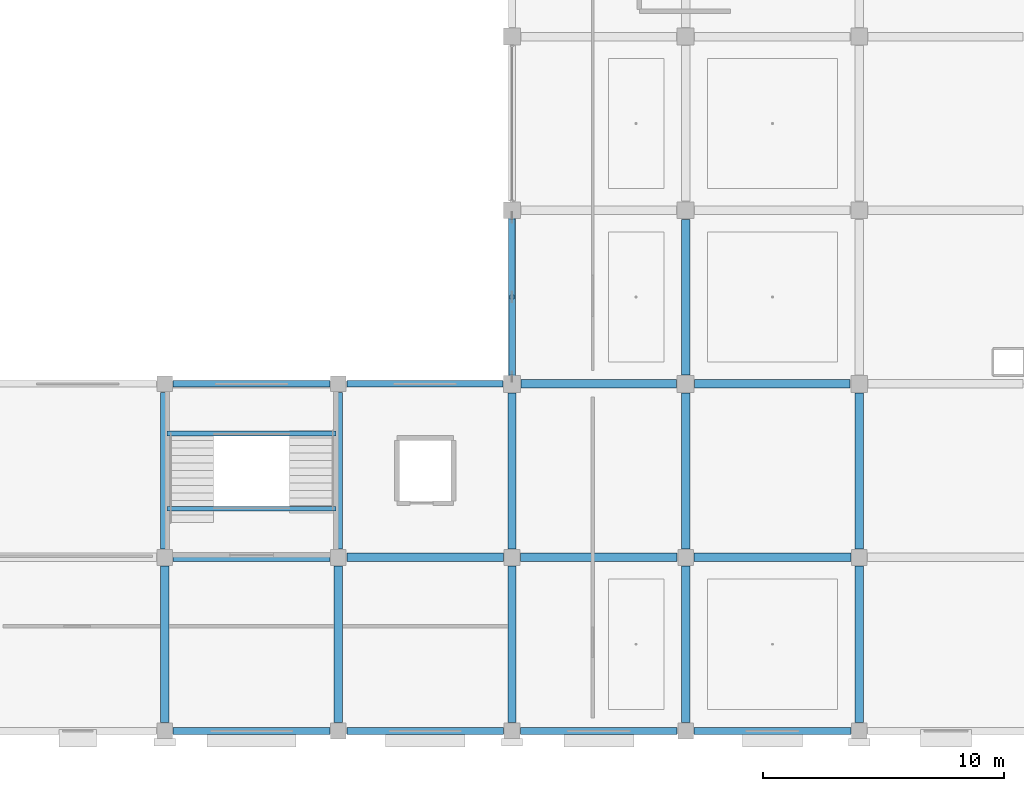
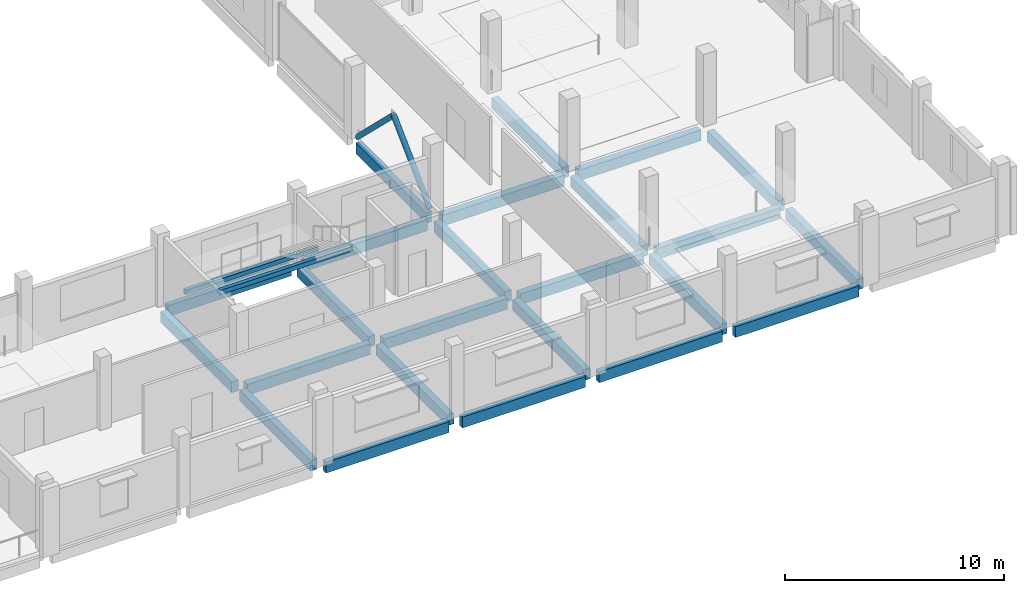
# One storey, part 36 of 91: 26 beams, 2 members.
"""IFC4 building model written with IfcOpenShell, lengths in metres."""

from ifc_helpers import new_model, si_unit, direction, frame, origin, origin_2d, place, context, subcontext, project, spatial, rectangle, hollow_circle, extrude, material, material_profile, profile_set, type_object, element, save


model = new_model("IFC4")

# Units and contexts
model_context = context("Model", 3, precision=1e-05, world=origin(), true_north=direction((0.0, 1.0)))
body_context = subcontext(model_context, "Body", "Model", "MODEL_VIEW")
ifc_project = project(units=[si_unit("LENGTHUNIT", "METRE"), si_unit("AREAUNIT", "SQUARE_METRE"), si_unit("VOLUMEUNIT", "CUBIC_METRE"), si_unit("PLANEANGLEUNIT", "RADIAN"), si_unit("MASSUNIT", "GRAM", prefix="KILO")], contexts=[model_context])

# Site, building, storey
site_placement = place(None, origin())
site = spatial("IfcSite", under=ifc_project, at=site_placement, CompositionType="ELEMENT")
building_placement = place(site_placement, origin())
building = spatial("IfcBuilding", under=site, at=building_placement, Name="Kangsadwip Square Police Headquarters", CompositionType="ELEMENT")
storey_placement = place(building_placement, frame((0.0, 0.0, 13.5)))
storey = spatial("IfcBuildingStorey", under=building, at=storey_placement, Name="L03", CompositionType="ELEMENT", Elevation=13.5)

# Beams
ifc_material_1 = material(Name="Concrete M35 (35 MPa)", Category="concrete")
ifc_material_profile_1 = material_profile(ifc_material_1, rectangle(XDim=0.35009765625, YDim=0.60009765625, at=origin_2d()), Name="RC BM 600X350")
ifc_profile_set_1 = profile_set([ifc_material_profile_1], Name="Concrete M35 (35 MPa)")
beam_type_1 = type_object("IfcBeamType", Name="RcBeam600x350", PredefinedType="BEAM", material=ifc_profile_set_1)
for number, where, z_axis, x_axis, name in (
    (1, (129.949951171875, 28.800048828125, -0.5400390625), (1.0, 0.0, 0.0), (0.0, 1.0, 0.0), "Beam BM-L03-X-18-04"),
    (2, (137.14990234375, 28.800048828125, -0.5400390625), (1.0, 0.0, 0.0), (0.0, 1.0, 0.0), "Beam BM-L03-X-19-04"),
    (3, (144.35009765625, 28.800048828125, -0.5400390625), (1.0, 0.0, 0.0), (0.0, 1.0, 0.0), "Beam BM-L03-X-20-04"),
    (4, (151.550048828125, 28.800048828125, -0.5400390625), (1.0, 0.0, 0.0), (0.0, 1.0, 0.0), "Beam BM-L03-X-21-04"),
):
    element("IfcBeam", number, at=place(storey_placement, frame(where, z_axis=z_axis, x_axis=x_axis)), inside=storey, type_object=beam_type_1, Name=name, PredefinedType="BEAM", context=body_context, shape_type="SweptSolid", body=[
        extrude(rectangle(XDim=0.35009765625, YDim=0.60009765625, at=origin_2d()), origin(), (0.0, 0.0, 1.0), 6.5),
    ])
for number, where, z_axis, x_axis, name in (
    (5, (144.375, 36.0, -0.5400390625), (1.0, 0.0, 0.0), (0.0, 1.0, 0.0), "Beam BM-L03-X-20-05"),
    (6, (151.574951171875, 36.0, -0.5400390625), (1.0, 0.0, 0.0), (0.0, 1.0, 0.0), "Beam BM-L03-X-21-05"),
):
    element("IfcBeam", number, at=place(storey_placement, frame(where, z_axis=z_axis, x_axis=x_axis)), inside=storey, type_object=beam_type_1, Name=name, PredefinedType="BEAM", context=body_context, shape_type="SweptSolid", body=[
        extrude(rectangle(XDim=0.35009765625, YDim=0.60009765625, at=origin_2d()), origin(), (0.0, 0.0, 1.0), 6.449951171875),
    ])
for number, where, z_axis, x_axis, name in (
    (7, (129.60009765625, 21.949951171875, -0.5400390625), (0.0, 1.0, 0.0), (-1.0, 0.0, 0.0), "Beam BM-L03-Y-18-03"),
    (8, (129.60009765625, 29.14990234375, -0.5400390625), (0.0, 1.0, 0.0), (-1.0, 0.0, 0.0), "Beam BM-L03-Y-18-04"),
    (9, (136.800048828125, 21.949951171875, -0.5400390625), (0.0, 1.0, 0.0), (-1.0, 0.0, 0.0), "Beam BM-L03-Y-19-03"),
    (10, (136.800048828125, 29.14990234375, -0.5400390625), (0.0, 1.0, 0.0), (-1.0, 0.0, 0.0), "Beam BM-L03-Y-19-04"),
    (11, (144.0, 21.949951171875, -0.5400390625), (0.0, 1.0, 0.0), (-1.0, 0.0, 0.0), "Beam BM-L03-Y-20-03"),
):
    element("IfcBeam", number, at=place(storey_placement, frame(where, z_axis=z_axis, x_axis=x_axis)), inside=storey, type_object=beam_type_1, Name=name, PredefinedType="BEAM", context=body_context, shape_type="SweptSolid", body=[
        extrude(rectangle(XDim=0.35009765625, YDim=0.60009765625, at=origin_2d()), origin(), (0.0, 0.0, 1.0), 6.5),
    ])
beam_1_placement = place(storey_placement, frame((144.0, 29.14990234375, -0.5400390625), z_axis=(0.0, 1.0, 0.0), x_axis=(-1.0, 0.0, 0.0)))
element("IfcBeam", 12, at=beam_1_placement, inside=storey, type_object=beam_type_1, Name="Beam BM-L03-Y-20-04", PredefinedType="BEAM", context=body_context, shape_type="SweptSolid", body=[
    extrude(rectangle(XDim=0.35009765625, YDim=0.60009765625, at=origin_2d()), origin(), (0.0, 0.0, 1.0), 6.47509765625),
])
beam_2_placement = place(storey_placement, frame((151.199951171875, 21.949951171875, -0.5400390625), z_axis=(0.0, 1.0, 0.0), x_axis=(-1.0, 0.0, 0.0)))
element("IfcBeam", 13, at=beam_2_placement, inside=storey, type_object=beam_type_1, Name="Beam BM-L03-Y-21-03", PredefinedType="BEAM", context=body_context, shape_type="SweptSolid", body=[
    extrude(rectangle(XDim=0.35009765625, YDim=0.60009765625, at=origin_2d()), origin(), (0.0, 0.0, 1.0), 6.5),
])
beam_3_placement = place(storey_placement, frame((151.199951171875, 29.14990234375, -0.5400390625), z_axis=(0.0, 1.0, 0.0), x_axis=(-1.0, 0.0, 0.0)))
element("IfcBeam", 14, at=beam_3_placement, inside=storey, type_object=beam_type_1, Name="Beam BM-L03-Y-21-04", PredefinedType="BEAM", context=body_context, shape_type="SweptSolid", body=[
    extrude(rectangle(XDim=0.35009765625, YDim=0.60009765625, at=origin_2d()), origin(), (0.0, 0.0, 1.0), 6.47509765625),
])
beam_4_placement = place(storey_placement, frame((151.199951171875, 36.375, -0.5400390625), z_axis=(0.0, 1.0, 0.0), x_axis=(-1.0, 0.0, 0.0)))
element("IfcBeam", 15, at=beam_4_placement, inside=storey, type_object=beam_type_1, Name="Beam BM-L03-Y-21-05", PredefinedType="BEAM", context=body_context, shape_type="SweptSolid", body=[
    extrude(rectangle(XDim=0.35009765625, YDim=0.60009765625, at=origin_2d()), origin(), (0.0, 0.0, 1.0), 6.449951171875),
])
beam_5_placement = place(storey_placement, frame((158.39990234375, 21.949951171875, -0.5400390625), z_axis=(0.0, 1.0, 0.0), x_axis=(-1.0, 0.0, 0.0)))
element("IfcBeam", 16, at=beam_5_placement, inside=storey, type_object=beam_type_1, Name="Beam BM-L03-Y-22-03", PredefinedType="BEAM", context=body_context, shape_type="SweptSolid", body=[
    extrude(rectangle(XDim=0.35009765625, YDim=0.60009765625, at=origin_2d()), origin(), (0.0, 0.0, 1.0), 6.5),
])
beam_6_placement = place(storey_placement, frame((158.39990234375, 29.14990234375, -0.5400390625), z_axis=(0.0, 1.0, 0.0), x_axis=(-1.0, 0.0, 0.0)))
element("IfcBeam", 17, at=beam_6_placement, inside=storey, type_object=beam_type_1, Name="Beam BM-L03-Y-22-04", PredefinedType="BEAM", context=body_context, shape_type="SweptSolid", body=[
    extrude(rectangle(XDim=0.35009765625, YDim=0.60009765625, at=origin_2d()), origin(), (0.0, 0.0, 1.0), 6.47509765625),
])
ifc_material_2 = material(Name="Concrete M30 (30 MPa)", Category="concrete")
ifc_material_profile_2 = material_profile(ifc_material_2, rectangle(XDim=0.199951171875, YDim=0.25, at=origin_2d()), Name="RC LNT 250X200")
ifc_profile_set_2 = profile_set([ifc_material_profile_2], Name="Concrete M30 (30 MPa)")
beam_type_2 = type_object("IfcBeamType", Name="RcLintel250x200", PredefinedType="LINTEL", material=ifc_profile_set_2)
for number, where, z_axis, x_axis, name in (
    (18, (129.699951171875, 33.93994140625, 1.801025390625), (1.0, 0.0, 0.0), (0.0, 1.0, 0.0), "Stair Carriage and Landing Beam BM-ST-L03-085"),
    (19, (129.699951171875, 30.820068359375, 3.68505859375), (1.0, 0.0, 0.0), (0.0, 1.0, 0.0), "Stair Carriage and Landing Beam BM-ST-L03-086"),
):
    element("IfcBeam", number, at=place(storey_placement, frame(where, z_axis=z_axis, x_axis=x_axis)), inside=storey, type_object=beam_type_2, Name=name, PredefinedType="BEAM", context=body_context, shape_type="SweptSolid", body=[
        extrude(rectangle(XDim=0.199951171875, YDim=0.25, at=origin_2d()), origin(), (0.0, 0.0, 1.0), 7.0),
    ])
ifc_material_3 = material(Name="Concrete M40 (40 MPa)", Category="concrete")
ifc_material_profile_3 = material_profile(ifc_material_3, rectangle(XDim=0.280029296875, YDim=0.60009765625, at=origin_2d()), Name="RC SPN 600X280")
ifc_profile_set_3 = profile_set([ifc_material_profile_3], Name="Concrete M40 (40 MPa)")
beam_type_3 = type_object("IfcBeamType", Name="RcSpandrel600x280", PredefinedType="SPANDREL", material=ifc_profile_set_3)
for number, where, z_axis, x_axis, name in (
    (20, (129.949951171875, 21.60009765625, -0.5400390625), (1.0, 0.0, 0.0), (0.0, 1.0, 0.0), "Beam BM-L03-X-18-03"),
    (21, (137.14990234375, 21.60009765625, -0.5400390625), (1.0, 0.0, 0.0), (0.0, 1.0, 0.0), "Beam BM-L03-X-19-03"),
    (22, (144.35009765625, 21.60009765625, -0.5400390625), (1.0, 0.0, 0.0), (0.0, 1.0, 0.0), "Beam BM-L03-X-20-03"),
    (23, (151.550048828125, 21.60009765625, -0.5400390625), (1.0, 0.0, 0.0), (0.0, 1.0, 0.0), "Beam BM-L03-X-21-03"),
    (24, (129.949951171875, 36.0, -0.5400390625), (1.0, 0.0, 0.0), (0.0, 1.0, 0.0), "Beam BM-L03-X-18-05"),
):
    element("IfcBeam", number, at=place(storey_placement, frame(where, z_axis=z_axis, x_axis=x_axis)), inside=storey, type_object=beam_type_3, Name=name, PredefinedType="SPANDREL", context=body_context, shape_type="SweptSolid", body=[
        extrude(rectangle(XDim=0.280029296875, YDim=0.60009765625, at=origin_2d()), origin(), (0.0, 0.0, 1.0), 6.5),
    ])
beam_7_placement = place(storey_placement, frame((137.14990234375, 36.0, -0.5400390625), z_axis=(1.0, 0.0, 0.0), x_axis=(0.0, 1.0, 0.0)))
element("IfcBeam", 25, at=beam_7_placement, inside=storey, type_object=beam_type_3, Name="Beam BM-L03-X-19-05", PredefinedType="SPANDREL", context=body_context, shape_type="SweptSolid", body=[
    extrude(rectangle(XDim=0.280029296875, YDim=0.60009765625, at=origin_2d()), origin(), (0.0, 0.0, 1.0), 6.47509765625),
])
beam_8_placement = place(storey_placement, frame((144.0, 36.375, -0.5400390625), z_axis=(0.0, 1.0, 0.0), x_axis=(-1.0, 0.0, 0.0)))
element("IfcBeam", 26, at=beam_8_placement, inside=storey, type_object=beam_type_3, Name="Beam BM-L03-Y-20-05", PredefinedType="SPANDREL", context=body_context, shape_type="SweptSolid", body=[
    extrude(rectangle(XDim=0.280029296875, YDim=0.60009765625, at=origin_2d()), origin(), (0.0, 0.0, 1.0), 6.449951171875),
])

# Members
ifc_material_4 = material(Name="Structural steel IS 2062 E350 (Grade 350, 350 MPa)", Category="steel")
ifc_material_profile_4 = material_profile(ifc_material_4, hollow_circle(Radius=0.136474609375, WallThickness=0.010009765625, at=origin_2d()), Name="CHS 273X10")
ifc_profile_set_4 = profile_set([ifc_material_profile_4], Name="Structural steel IS 2062 E350 (Grade 350, 350 MPa)")
member_type = type_object("IfcMemberType", Name="TrussBraceChs273", PredefinedType="BRACE", material=ifc_profile_set_4)
member_1_placement = place(storey_placement, frame((144.0, 36.300048828125, 0.0), z_axis=(0.0, 0.716823350173, 0.697254820454), x_axis=(-1.0, 0.0, 0.0)))
element("IfcMember", 27, at=member_1_placement, inside=storey, type_object=member_type, Name="Truss Member MEM-L03-0292", PredefinedType="BRACE", context=body_context, shape_type="SweptSolid", body=[
    extrude(hollow_circle(Radius=0.136474609375, WallThickness=0.010009765625, at=origin_2d()), origin(), (0.0, 0.0, 1.0), 4.603759765625),
])
member_2_placement = place(storey_placement, frame((144.0, 42.89990234375, 0.0), z_axis=(0.0, -0.716797566805, 0.697281326454), x_axis=(1.0, 0.0, 0.0)))
element("IfcMember", 28, at=member_2_placement, inside=storey, type_object=member_type, Name="Truss Member MEM-L03-0293", PredefinedType="BRACE", context=body_context, shape_type="SweptSolid", body=[
    extrude(hollow_circle(Radius=0.136474609375, WallThickness=0.010009765625, at=origin_2d()), origin(), (0.0, 0.0, 1.0), 4.603515625),
])

save(model, "model.ifc")
